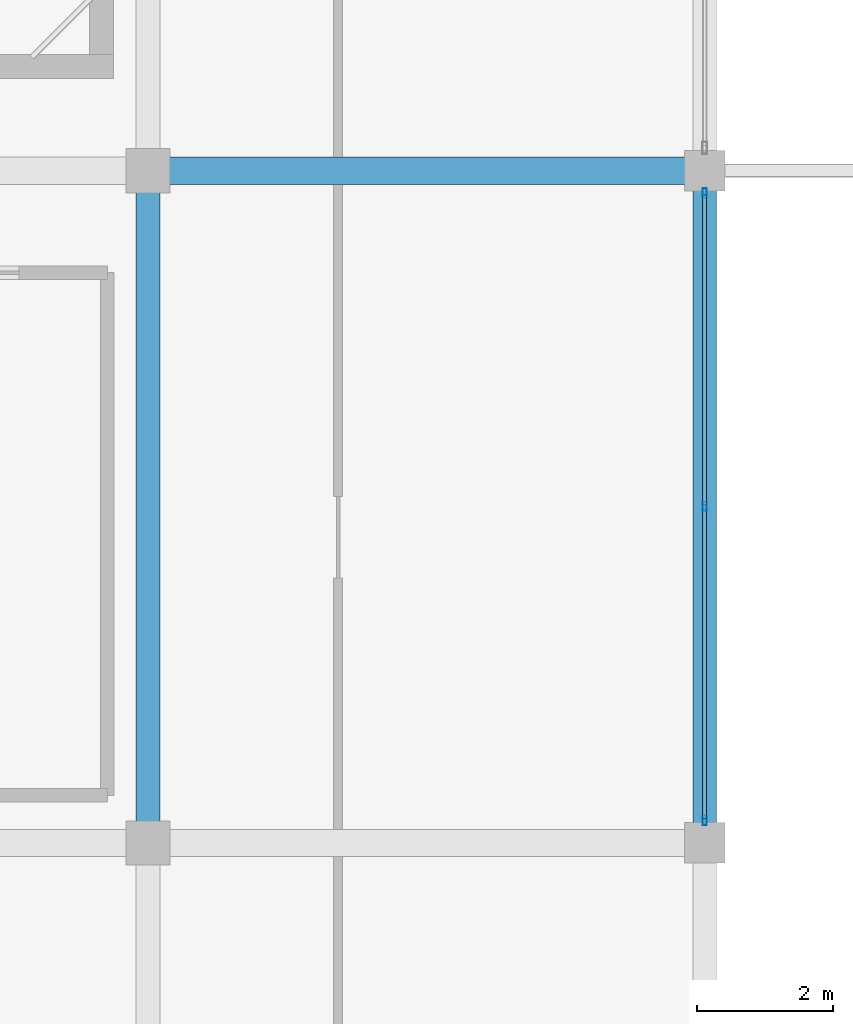
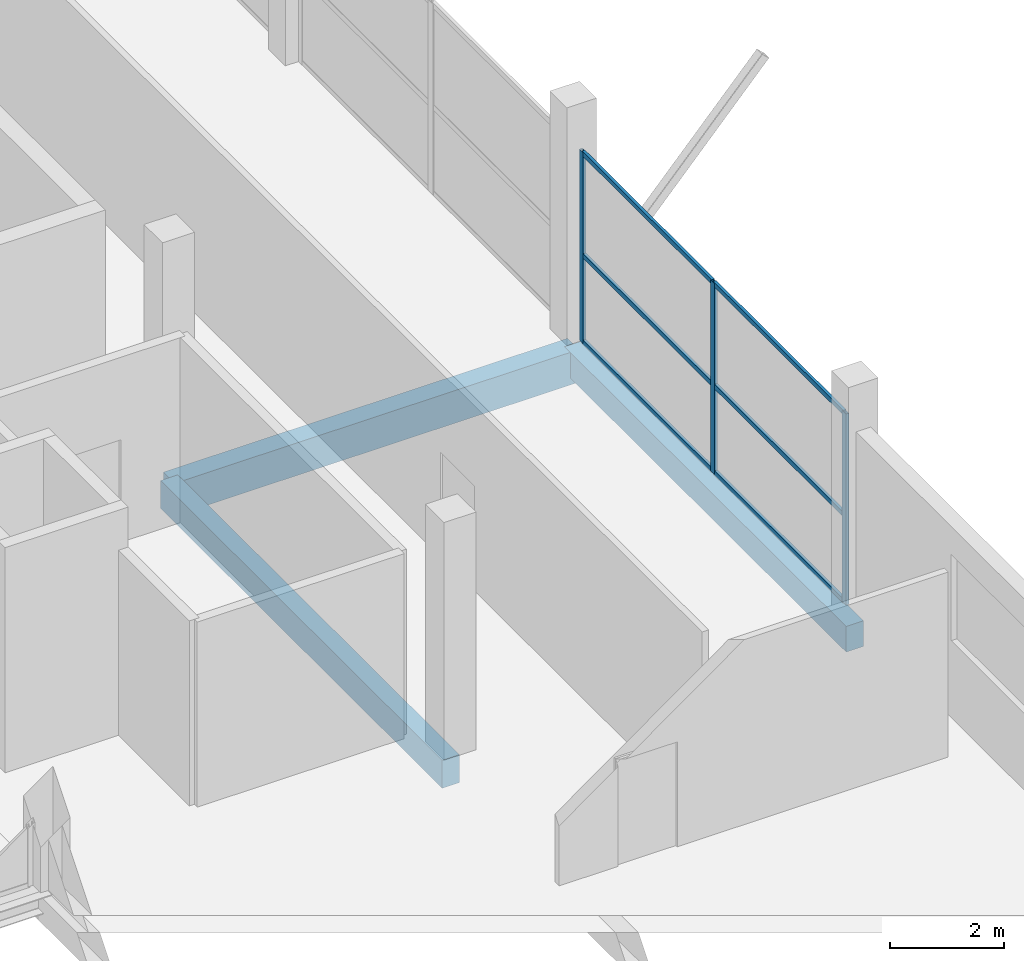
# One storey, part 16 of 58: 9 members, 3 beams, 1 element without a shape of its own.
"""IFC4 building model written with IfcOpenShell, lengths in metres."""

import ifcopenshell
import ifcopenshell.guid

model = None  # the IFC model being written
_history = None  # IfcOwnerHistory: only IFC2X3 demands one
_inside = {}  # id of a spatial element -> (the spatial element, [elements in it])
_under = {}  # id of a project, library or spatial element -> (it, [spatial elements below it])
_declared = {}  # id of a project -> (the project, [libraries it declares])
_typed = {}  # id of a type object -> (the type object, [elements of that type])
_made_of = {}  # id of a material, layer set ... -> (it, [elements and type objects made of it])


def new_model(schema):
    """Start an empty IFC model of exactly this schema.

    Asked for "IFC4X3", IfcOpenShell would pick the latest addendum, in which some entities
    have other attributes; the version numbers below select the first issue.
    IFC2X3 requires an IfcOwnerHistory on every rooted entity: one is made here for all.
    """
    global model, _history
    if schema == "IFC4X3":
        model = ifcopenshell.file(schema_version=(4, 3, 0, 0))
    else:
        model = ifcopenshell.file(schema=schema)
    _inside.clear()
    _under.clear()
    _declared.clear()
    _typed.clear()
    _made_of.clear()
    _history = None
    if model.schema == "IFC2X3":
        org = make("IfcOrganization", Name="unknown")
        user = make(
            "IfcPersonAndOrganization",
            ThePerson=make("IfcPerson", FamilyName="unknown"),
            TheOrganization=org,
        )
        app = make(
            "IfcApplication",
            ApplicationDeveloper=org,
            Version="unknown",
            ApplicationFullName="unknown",
            ApplicationIdentifier="unknown",
        )
        _history = make(
            "IfcOwnerHistory",
            OwningUser=user,
            OwningApplication=app,
            ChangeAction="ADDED",
            CreationDate=0,
        )
    return model


def make(cls, **values):
    """One entity of the class cls with the attributes given. An attribute that is None is left unset."""
    return model.create_entity(
        cls, **{name: value for name, value in values.items() if value is not None}
    )


def rooted(cls, **values):
    """An entity with a GlobalId (a new one), such as an element, a storey or a relation."""
    return make(cls, GlobalId=ifcopenshell.guid.new(), OwnerHistory=_history, **values)


def si_unit(unit_type, name, prefix=None):
    """IfcSIUnit, for example si_unit("LENGTHUNIT", "METRE", prefix="MILLI")."""
    return make("IfcSIUnit", UnitType=unit_type, Prefix=prefix, Name=name)


def assignment(units):
    """IfcUnitAssignment: the units of a project."""
    return None if units is None else make("IfcUnitAssignment", Units=units)


def point(xyz):
    """IfcCartesianPoint."""
    return None if xyz is None else make("IfcCartesianPoint", Coordinates=xyz)


def direction(xyz):
    """IfcDirection."""
    return None if xyz is None else make("IfcDirection", DirectionRatios=xyz)


def frame(location, z_axis=None, x_axis=None):
    """IfcAxis2Placement3D, a coordinate frame: its origin and axes. An axis left out is left unset."""
    return make(
        "IfcAxis2Placement3D",
        Location=point(location),
        Axis=direction(z_axis),
        RefDirection=direction(x_axis),
    )


def frame_2d(location, x_axis=None):
    """IfcAxis2Placement2D, a coordinate frame in the plane: its origin and x axis."""
    return make(
        "IfcAxis2Placement2D", Location=point(location), RefDirection=direction(x_axis)
    )


def origin():
    """The frame at (0, 0, 0) with its axes left unset."""
    return frame((0.0, 0.0, 0.0))


def origin_2d():
    """The frame at (0, 0) in the plane with its x axis left unset."""
    return frame_2d((0.0, 0.0))


def place(relative_to, where):
    """IfcLocalPlacement: puts the frame where relative to a parent placement (None: the world)."""
    return make(
        "IfcLocalPlacement", PlacementRelTo=relative_to, RelativePlacement=where
    )


def context(
    kind, dimensions, precision=None, world=None, true_north=None, identifier=None
):
    """IfcGeometricRepresentationContext, for example the 3D "Model" context."""
    return make(
        "IfcGeometricRepresentationContext",
        ContextIdentifier=identifier,
        ContextType=kind,
        CoordinateSpaceDimension=dimensions,
        Precision=precision,
        WorldCoordinateSystem=world,
        TrueNorth=true_north,
    )


def subcontext(parent, identifier, kind, view, scale=None):
    """IfcGeometricRepresentationSubContext, for example "Body" below "Model"."""
    return make(
        "IfcGeometricRepresentationSubContext",
        ContextIdentifier=identifier,
        ContextType=kind,
        ParentContext=parent,
        TargetScale=scale,
        TargetView=view,
    )


def project(units=None, contexts=None):
    """IfcProject with its units and contexts."""
    return rooted(
        "IfcProject",
        Name="project",
        RepresentationContexts=contexts,
        UnitsInContext=assignment(units),
    )


def spatial(cls, under=None, at=None, **own):
    """A site, building, storey or space (cls), placed at a placement, below another one or the project."""
    s = rooted(cls, ObjectPlacement=at, **own)
    if under is not None:
        _under.setdefault(under.id(), (under, []))[1].append(s)
    return s


def profile(cls, at=None, kind="AREA", **sizes):
    """A parametric profile (cls). Its sizes go by their IFC names, for example OverallWidth=200.0."""
    return make(cls, ProfileType=kind, Position=at, **sizes)


def rectangle(**sizes):
    """IfcRectangleProfileDef."""
    return profile("IfcRectangleProfileDef", **sizes)


def hollow_rectangle(**sizes):
    """IfcRectangleHollowProfileDef."""
    return profile("IfcRectangleHollowProfileDef", **sizes)


def extrude(swept, where, along, depth):
    """IfcExtrudedAreaSolid: the profile swept, set in the frame where, extruded along a direction by depth."""
    return make(
        "IfcExtrudedAreaSolid",
        SweptArea=swept,
        Position=where,
        ExtrudedDirection=direction(along),
        Depth=depth,
    )


def shape(context_of_items, identifier, shape_type, items):
    """IfcShapeRepresentation: the items that make up one representation, for example the "Body"."""
    return make(
        "IfcShapeRepresentation",
        ContextOfItems=context_of_items,
        RepresentationIdentifier=identifier,
        RepresentationType=shape_type,
        Items=items,
    )


def material(Name=None, Category=None):
    """IfcMaterial."""
    return make("IfcMaterial", Name=Name, Category=Category)


def layer(
    of_material, thickness, ventilated=None, Name=None, Category=None, Priority=None
):
    """IfcMaterialLayer: one layer of a wall or slab, of a material (None: an air gap)."""
    return make(
        "IfcMaterialLayer",
        Material=of_material,
        LayerThickness=thickness,
        IsVentilated=ventilated,
        Name=Name,
        Category=Category,
        Priority=Priority,
    )


def layer_set(layers, Name=None):
    """IfcMaterialLayerSet."""
    return make("IfcMaterialLayerSet", MaterialLayers=layers, LayerSetName=Name)


def material_profile(
    of_material, cross_section, Name=None, Category=None, Priority=None
):
    """IfcMaterialProfile: a cross section and its material."""
    return make(
        "IfcMaterialProfile",
        Name=Name,
        Material=of_material,
        Profile=cross_section,
        Priority=Priority,
        Category=Category,
    )


def profile_set(profiles, Name=None, composite=None):
    """IfcMaterialProfileSet."""
    return make(
        "IfcMaterialProfileSet",
        Name=Name,
        MaterialProfiles=profiles,
        CompositeProfile=composite,
    )


def made_of(thing, what):
    """Note that an element or type object is made of a material, layer set ...; save() writes the relation."""
    if what is not None:
        _made_of.setdefault(what.id(), (what, []))[1].append(thing)
    return thing


def type_object(cls, material=None, **own):
    """A type object (cls), such as IfcWallType, which elements share."""
    return made_of(rooted(cls, **own), material)


def element(
    cls,
    number,
    at=None,
    inside=None,
    cuts=None,
    type_object=None,
    material=None,
    context=None,
    identifier="Body",
    shape_type=None,
    held_by="IfcProductDefinitionShape",
    body=None,
    shapes=None,
    **own,
):
    """One element of the class cls, such as IfcWall. Its Tag is "e" and its number.

    at: its placement. inside: the storey or other place that contains it. cuts: it is an
    opening in that element (IfcRelVoidsElement). A single representation is given by context,
    identifier, shape_type and body (its items); several are given by shapes. held_by: the class
    of the entity that holds the representations. save() writes the other relations.
    """
    e = rooted(cls, Tag="e%d" % number, ObjectPlacement=at, **own)
    if body is not None:
        shapes = [shape(context, identifier, shape_type, body)]
    if shapes is not None:
        e.Representation = make(held_by, Representations=shapes)
    if inside is not None:
        _inside.setdefault(inside.id(), (inside, []))[1].append(e)
    if cuts is not None:
        rooted(
            "IfcRelVoidsElement", RelatingBuildingElement=cuts, RelatedOpeningElement=e
        )
    if type_object is not None:
        _typed.setdefault(type_object.id(), (type_object, []))[1].append(e)
    return made_of(e, material)


def aggregate(whole, parts):
    """IfcRelAggregates: a whole, such as a stair, and the parts it consists of."""
    return rooted("IfcRelAggregates", RelatingObject=whole, RelatedObjects=parts)


def save(model, path):
    """Write the relations noted so far, then the file.

    IfcRelAggregates (storeys below a building ...), IfcRelContainedInSpatialStructure (elements
    in a storey), IfcRelDefinesByType, IfcRelAssociatesMaterial and IfcRelDeclares: one each for
    every whole, place, type object, material and project.
    """
    for whole, parts in _under.values():
        aggregate(whole, parts)
    for where, things in _inside.values():
        rooted(
            "IfcRelContainedInSpatialStructure",
            RelatedElements=things,
            RelatingStructure=where,
        )
    for kind, things in _typed.values():
        rooted("IfcRelDefinesByType", RelatedObjects=things, RelatingType=kind)
    for what, things in _made_of.values():
        rooted("IfcRelAssociatesMaterial", RelatedObjects=things, RelatingMaterial=what)
    for by, libraries in _declared.values():
        rooted("IfcRelDeclares", RelatingContext=by, RelatedDefinitions=libraries)
    model.write(path)


model = new_model("IFC4")

# Units and contexts
model_context = context("Model", 3, precision=1e-05, world=origin(), true_north=direction((0.0, 1.0)))
body_context = subcontext(model_context, "Body", "Model", "MODEL_VIEW")
ifc_project = project(units=[si_unit("LENGTHUNIT", "METRE"), si_unit("AREAUNIT", "SQUARE_METRE"), si_unit("VOLUMEUNIT", "CUBIC_METRE"), si_unit("PLANEANGLEUNIT", "RADIAN"), si_unit("MASSUNIT", "GRAM", prefix="KILO")], contexts=[model_context])

# Site, building, storey
site_placement = place(None, origin())
site = spatial("IfcSite", under=ifc_project, at=site_placement, CompositionType="ELEMENT")
building_placement = place(site_placement, origin())
building = spatial("IfcBuilding", under=site, at=building_placement, Name="Sillaruma Civic Art Gallery", CompositionType="ELEMENT")
storey_placement = place(building_placement, frame((0.0, 0.0, 52.02001953125)))
storey = spatial("IfcBuildingStorey", under=building, at=storey_placement, Name="L10", CompositionType="ELEMENT", Elevation=52.02001953125)

# Beams
ifc_material_1 = material(Name="Concrete H35 (35 MPa)", Category="concrete")
ifc_material_profile_1 = material_profile(ifc_material_1, rectangle(XDim=0.35009765625, YDim=0.60009765625, at=origin_2d()), Name="RCB350x600")
ifc_profile_set_1 = profile_set([ifc_material_profile_1], Name="Concrete H35 (35 MPa)")
beam_type_1 = type_object("IfcBeamType", Name="BM-BEAM-RCB350x600", PredefinedType="BEAM", material=ifc_profile_set_1)
beam_1_placement = place(storey_placement, frame((106.199951171875, 39.60009765625, -0.550048828125), z_axis=(0.0, 1.0, 0.0), x_axis=(-1.0, 0.0, 0.0)))
element("IfcBeam", 1, at=beam_1_placement, inside=storey, type_object=beam_type_1, Name="Beam BM-06 (L09:M:5-6)", PredefinedType="BEAM", context=body_context, shape_type="SweptSolid", body=[
    extrude(rectangle(XDim=0.35009765625, YDim=0.60009765625, at=origin_2d()), origin(), (0.0, 0.0, 1.0), 9.89990234375),
])
ifc_material_profile_2 = material_profile(ifc_material_1, rectangle(XDim=0.39990234375, YDim=0.699951171875, at=origin_2d()), Name="RCB400x700")
ifc_profile_set_2 = profile_set([ifc_material_profile_2], Name="Concrete H35 (35 MPa)")
beam_type_2 = type_object("IfcBeamType", Name="BM-BEAM-RCB400x700", PredefinedType="BEAM", material=ifc_profile_set_2)
beam_2_placement = place(storey_placement, frame((106.199951171875, 49.5, -0.60009765625), z_axis=(1.0, 0.0, 0.0), x_axis=(0.0, 1.0, 0.0)))
element("IfcBeam", 2, at=beam_2_placement, inside=storey, type_object=beam_type_2, Name="Beam BM-04 (L09:6:M-N)", PredefinedType="BEAM", context=body_context, shape_type="SweptSolid", body=[
    extrude(rectangle(XDim=0.39990234375, YDim=0.699951171875, at=origin_2d()), origin(), (0.0, 0.0, 1.0), 8.199951171875),
])
ifc_material_profile_3 = material_profile(ifc_material_1, rectangle(XDim=0.35009765625, YDim=0.550048828125, at=origin_2d()), Name="RCB350x550")
ifc_profile_set_3 = profile_set([ifc_material_profile_3], Name="Concrete H35 (35 MPa)")
beam_type_3 = type_object("IfcBeamType", Name="BM-SPANDREL-RCB350x550", PredefinedType="SPANDREL", material=ifc_profile_set_3)
beam_3_placement = place(storey_placement, frame((114.39990234375, 39.60009765625, -0.52490234375), z_axis=(0.0, 1.0, 0.0), x_axis=(-1.0, 0.0, 0.0)))
element("IfcBeam", 3, at=beam_3_placement, inside=storey, type_object=beam_type_3, Name="Beam BS-04 (L09:N:5-6)", PredefinedType="SPANDREL", context=body_context, shape_type="SweptSolid", body=[
    extrude(rectangle(XDim=0.35009765625, YDim=0.550048828125, at=origin_2d()), origin(), (0.0, 0.0, 1.0), 9.89990234375),
])

# Curtain wall, members
ifc_material_2 = material(Name="Thermally Broken Extruded Aluminium 6063-T6", Category="aluminium")
ifc_layer = layer(ifc_material_2, 0.139892578125, Name="Thermally Broken Extruded Aluminium 6063-T6")
ifc_layer_set = layer_set([ifc_layer], Name="Thermally Broken Extruded Aluminium 6063-T6")
curtain_wall_type = type_object("IfcCurtainWallType", Name="CW-UNI-77", PredefinedType="NOTDEFINED", material=ifc_layer_set)
curtain_wall_placement = place(storey_placement, origin())
curtain_wall = element("IfcCurtainWall", 4, at=curtain_wall_placement, inside=storey, type_object=curtain_wall_type, Name="Unitised Curtain Wall CW-77 (CW-L10-EBE-3)", PredefinedType="NOTDEFINED")
ifc_material_profile_4 = material_profile(ifc_material_2, hollow_rectangle(XDim=0.06005859375, YDim=0.139892578125, WallThickness=0.00341796875, at=origin_2d()), Name="CWM60x140")
ifc_profile_set_4 = profile_set([ifc_material_profile_4], Name="Thermally Broken Extruded Aluminium 6063-T6")
member_type_1 = type_object("IfcMemberType", Name="MEM-MUL-CWM60x140", PredefinedType="MULLION", material=ifc_profile_set_4)
member_1_placement = place(storey_placement, frame((114.39990234375, 39.929931640625, 0.0), z_axis=(0.0, 0.0, 1.0), x_axis=(-1.0, 0.0, 0.0)))
member_1 = element("IfcMember", 5, at=member_1_placement, type_object=member_type_1, Name="CW-77 mullion 1", PredefinedType="MULLION", context=body_context, shape_type="SweptSolid", body=[
    extrude(hollow_rectangle(XDim=0.06005859375, YDim=0.139892578125, WallThickness=0.00341796875, at=origin_2d()), origin(), (0.0, 0.0, 1.0), 4.10009765625),
])
member_2_placement = place(storey_placement, frame((114.39990234375, 44.550048828125, 0.0), z_axis=(0.0, 0.0, 1.0), x_axis=(-1.0, 0.0, 0.0)))
member_2 = element("IfcMember", 6, at=member_2_placement, type_object=member_type_1, Name="CW-77 mullion 2", PredefinedType="MULLION", context=body_context, shape_type="SweptSolid", body=[
    extrude(hollow_rectangle(XDim=0.06005859375, YDim=0.139892578125, WallThickness=0.00341796875, at=origin_2d()), origin(), (0.0, 0.0, 1.0), 4.10009765625),
])
member_3_placement = place(storey_placement, frame((114.39990234375, 49.169921875, 0.0), z_axis=(0.0, 0.0, 1.0), x_axis=(-1.0, 0.0, 0.0)))
member_3 = element("IfcMember", 7, at=member_3_placement, type_object=member_type_1, Name="CW-77 mullion 3", PredefinedType="MULLION", context=body_context, shape_type="SweptSolid", body=[
    extrude(hollow_rectangle(XDim=0.06005859375, YDim=0.139892578125, WallThickness=0.00341796875, at=origin_2d()), origin(), (0.0, 0.0, 1.0), 4.10009765625),
])
ifc_material_profile_5 = material_profile(ifc_material_2, hollow_rectangle(XDim=0.06005859375, YDim=0.10009765625, WallThickness=0.003173828125, at=origin_2d()), Name="CWT60x100")
ifc_profile_set_5 = profile_set([ifc_material_profile_5], Name="Thermally Broken Extruded Aluminium 6063-T6")
member_type_2 = type_object("IfcMemberType", Name="MEM-TRN-CWT60x100", PredefinedType="USERDEFINED", material=ifc_profile_set_5)
member_4_placement = place(storey_placement, frame((114.39990234375, 39.9599609375, 0.030029296875), z_axis=(0.0, 1.0, 0.0), x_axis=(-1.0, 0.0, 0.0)))
member_4 = element("IfcMember", 8, at=member_4_placement, type_object=member_type_2, Name="CW-77 transom 1.1", ObjectType="TRANSOM", PredefinedType="USERDEFINED", context=body_context, shape_type="SweptSolid", body=[
    extrude(hollow_rectangle(XDim=0.06005859375, YDim=0.10009765625, WallThickness=0.003173828125, at=origin_2d()), origin(), (0.0, 0.0, 1.0), 4.56005859375),
])
member_5_placement = place(storey_placement, frame((114.39990234375, 39.9599609375, 1.885986328125), z_axis=(0.0, 1.0, 0.0), x_axis=(-1.0, 0.0, 0.0)))
member_5 = element("IfcMember", 9, at=member_5_placement, type_object=member_type_2, Name="CW-77 transom 1.2", ObjectType="TRANSOM", PredefinedType="USERDEFINED", context=body_context, shape_type="SweptSolid", body=[
    extrude(hollow_rectangle(XDim=0.06005859375, YDim=0.10009765625, WallThickness=0.003173828125, at=origin_2d()), origin(), (0.0, 0.0, 1.0), 4.56005859375),
])
member_6_placement = place(storey_placement, frame((114.39990234375, 39.9599609375, 4.070068359375), z_axis=(0.0, 1.0, 0.0), x_axis=(-1.0, 0.0, 0.0)))
member_6 = element("IfcMember", 10, at=member_6_placement, type_object=member_type_2, Name="CW-77 transom 1.3", ObjectType="TRANSOM", PredefinedType="USERDEFINED", context=body_context, shape_type="SweptSolid", body=[
    extrude(hollow_rectangle(XDim=0.06005859375, YDim=0.10009765625, WallThickness=0.003173828125, at=origin_2d()), origin(), (0.0, 0.0, 1.0), 4.56005859375),
])
member_7_placement = place(storey_placement, frame((114.39990234375, 44.580078125, 0.030029296875), z_axis=(0.0, 1.0, 0.0), x_axis=(-1.0, 0.0, 0.0)))
member_7 = element("IfcMember", 11, at=member_7_placement, type_object=member_type_2, Name="CW-77 transom 2.1", ObjectType="TRANSOM", PredefinedType="USERDEFINED", context=body_context, shape_type="SweptSolid", body=[
    extrude(hollow_rectangle(XDim=0.06005859375, YDim=0.10009765625, WallThickness=0.003173828125, at=origin_2d()), origin(), (0.0, 0.0, 1.0), 4.559814453125),
])
member_8_placement = place(storey_placement, frame((114.39990234375, 44.580078125, 1.885986328125), z_axis=(0.0, 1.0, 0.0), x_axis=(-1.0, 0.0, 0.0)))
member_8 = element("IfcMember", 12, at=member_8_placement, type_object=member_type_2, Name="CW-77 transom 2.2", ObjectType="TRANSOM", PredefinedType="USERDEFINED", context=body_context, shape_type="SweptSolid", body=[
    extrude(hollow_rectangle(XDim=0.06005859375, YDim=0.10009765625, WallThickness=0.003173828125, at=origin_2d()), origin(), (0.0, 0.0, 1.0), 4.559814453125),
])
member_9_placement = place(storey_placement, frame((114.39990234375, 44.580078125, 4.070068359375), z_axis=(0.0, 1.0, 0.0), x_axis=(-1.0, 0.0, 0.0)))
member_9 = element("IfcMember", 13, at=member_9_placement, type_object=member_type_2, Name="CW-77 transom 2.3", ObjectType="TRANSOM", PredefinedType="USERDEFINED", context=body_context, shape_type="SweptSolid", body=[
    extrude(hollow_rectangle(XDim=0.06005859375, YDim=0.10009765625, WallThickness=0.003173828125, at=origin_2d()), origin(), (0.0, 0.0, 1.0), 4.559814453125),
])
aggregate(curtain_wall, [member_1, member_2, member_3, member_4, member_5, member_6, member_7, member_8, member_9])

save(model, "model.ifc")
